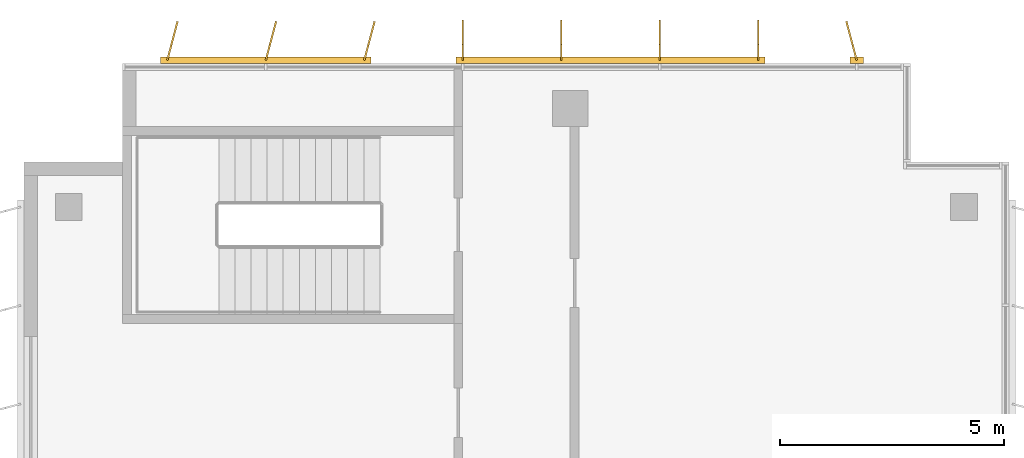
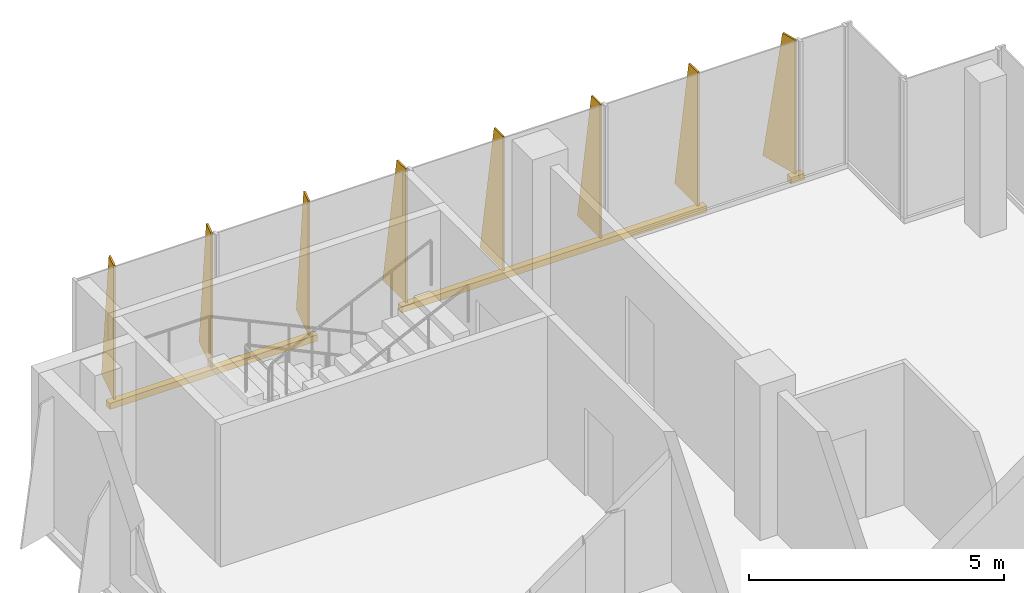
# One storey, part 15 of 15: 3 shading devices.
"""IFC4 building model written with IfcOpenShell, lengths in metres."""

from ifc_helpers import new_model, si_unit, direction, frame, origin, origin_2d, place, context, subcontext, project, spatial, polyline, rectangle, outline, extrude, source, transform, mapped, material, layer, layer_set, type_object, element, save


model = new_model("IFC4")

# Units and contexts
model_context = context("Model", 3, precision=1e-05, world=origin(), true_north=direction((0.0, 1.0)))
body_context = subcontext(model_context, "Body", "Model", "MODEL_VIEW")
ifc_project = project(units=[si_unit("LENGTHUNIT", "METRE"), si_unit("AREAUNIT", "SQUARE_METRE"), si_unit("VOLUMEUNIT", "CUBIC_METRE"), si_unit("PLANEANGLEUNIT", "RADIAN"), si_unit("MASSUNIT", "GRAM", prefix="KILO")], contexts=[model_context])

# Site, building, storey
site_placement = place(None, origin())
site = spatial("IfcSite", under=ifc_project, at=site_placement, CompositionType="ELEMENT")
building_placement = place(site_placement, origin())
building = spatial("IfcBuilding", under=site, at=building_placement, Name="Kemantara Hotel Tower", CompositionType="ELEMENT")
storey_placement = place(building_placement, frame((0.0, 0.0, 268.5)))
storey = spatial("IfcBuildingStorey", under=building, at=storey_placement, Name="L67", CompositionType="ELEMENT", Elevation=268.5)

# Shading devices
ifc_material = material(Name="Perforated aluminium plate 4 mm bronze anodised", Category="aluminium")
ifc_layer_1 = layer(ifc_material, 0.0400390625)
ifc_layer_set_1 = layer_set([ifc_layer_1], Name="Perforated aluminium plate 4 mm bronze anodised")
shading_device_type_1 = type_object("IfcShadingDeviceType", Name="SCREEN FIN CASSETTE, 3 BLADES AT -15.0 DEG, 3200 HIGH", PredefinedType="USERDEFINED", material=ifc_layer_set_1)
shared_shape_1 = source(origin(), body_context, "Body", "SweptSolid", [
    extrude(rectangle(XDim=4.699951171875, YDim=0.14990234375, at=origin_2d()), frame((2.199951171875, -0.074951171875, -0.14990234375), z_axis=(0.0, 0.0, 1.0), x_axis=(1.0, 0.0, 0.0)), (0.0, 0.0, 1.0), 0.14990234375),
    extrude(outline(polyline([(0.0, 0.0), (0.89990234375, 0.0), (0.35009765625, 3.199951171875), (0.0, 3.199951171875), (0.0, 0.0)])), frame((0.019287109375, -0.080078125, 0.0), z_axis=(-0.966437683387, 0.256901156343, 0.0), x_axis=(-0.256901156343, -0.966437683387, 0.0)), (0.0, 0.0, 1.0), 0.039794921875),
    extrude(outline(polyline([(0.0, 0.0), (0.89990234375, 0.0), (0.35009765625, 3.199951171875), (0.0, 3.199951171875), (0.0, 0.0)])), frame((2.21923828125, -0.080078125, 0.0), z_axis=(-0.966437683387, 0.256901156343, 0.0), x_axis=(-0.256901156343, -0.966437683387, 0.0)), (0.0, 0.0, 1.0), 0.039794921875),
    extrude(outline(polyline([(0.0, 0.0), (0.89990234375, 0.0), (0.35009765625, 3.199951171875), (0.0, 3.199951171875), (0.0, 0.0)])), frame((4.41943359375, -0.080078125, 0.0), z_axis=(-0.966837822169, 0.255391122837, 0.0), x_axis=(-0.255391122837, -0.966837822169, 0.0)), (0.0, 0.0, 1.0), 0.0400390625),
])
shading_device_1_placement = place(storey_placement, frame((7.60009765625, 63.60009765625, 0.10009765625), z_axis=(0.0, 0.0, 1.0), x_axis=(-1.0, 0.0, 0.0)))
element("IfcShadingDevice", 1, at=shading_device_1_placement, inside=storey, type_object=shading_device_type_1, Name="SCREEN FIN CASSETTE L67 T4-R02-3", ObjectType="SCREEN FIN", PredefinedType="USERDEFINED", context=body_context, shape_type="MappedRepresentation", body=[
    mapped(shared_shape_1, transform((0.0, 0.0, 0.0))),
])
ifc_layer_2 = layer(ifc_material, 0.0400390625)
ifc_layer_set_2 = layer_set([ifc_layer_2], Name="Perforated aluminium plate 4 mm bronze anodised")
shading_device_type_2 = type_object("IfcShadingDeviceType", Name="SCREEN FIN CASSETTE, 4 BLADES AT +0.0 DEG, 3200 HIGH", PredefinedType="USERDEFINED", material=ifc_layer_set_2)
shared_shape_2 = source(origin(), body_context, "Body", "SweptSolid", [
    extrude(rectangle(XDim=6.89990234375, YDim=0.14990234375, at=origin_2d()), frame((3.300048828125, -0.074951171875, -0.14990234375), z_axis=(0.0, 0.0, 1.0), x_axis=(1.0, 0.0, 0.0)), (0.0, 0.0, 1.0), 0.14990234375),
    extrude(outline(polyline([(0.0, 0.0), (0.89990234375, 0.0), (0.35009765625, 3.199951171875), (0.0, 3.199951171875), (0.0, 0.0)])), frame((0.02001953125, -0.074951171875, 0.0), z_axis=(-1.0, 0.0, 0.0), x_axis=(0.0, -1.0, 0.0)), (0.0, 0.0, 1.0), 0.0400390625),
    extrude(outline(polyline([(0.0, 0.0), (0.89990234375, 0.0), (0.35009765625, 3.199951171875), (0.0, 3.199951171875), (0.0, 0.0)])), frame((2.219970703125, -0.074951171875, 0.0), z_axis=(-1.0, 0.0, 0.0), x_axis=(0.0, -1.0, 0.0)), (0.0, 0.0, 1.0), 0.0400390625),
    extrude(outline(polyline([(0.0, 0.0), (0.89990234375, 0.0), (0.35009765625, 3.199951171875), (0.0, 3.199951171875), (0.0, 0.0)])), frame((4.419921875, -0.074951171875, 0.0), z_axis=(-1.0, 0.0, 0.0), x_axis=(0.0, -1.0, 0.0)), (0.0, 0.0, 1.0), 0.0400390625),
    extrude(outline(polyline([(0.0, 0.0), (0.89990234375, 0.0), (0.35009765625, 3.199951171875), (0.0, 3.199951171875), (0.0, 0.0)])), frame((6.6201171875, -0.074951171875, 0.0), z_axis=(-1.0, 0.0, 0.0), x_axis=(0.0, -1.0, 0.0)), (0.0, 0.0, 1.0), 0.0400390625),
])
shading_device_2_placement = place(storey_placement, frame((16.39990234375, 63.60009765625, 0.10009765625), z_axis=(0.0, 0.0, 1.0), x_axis=(-1.0, 0.0, 0.0)))
element("IfcShadingDevice", 2, at=shading_device_2_placement, inside=storey, type_object=shading_device_type_2, Name="SCREEN FIN CASSETTE L67 T4-R02-2", ObjectType="SCREEN FIN", PredefinedType="USERDEFINED", context=body_context, shape_type="MappedRepresentation", body=[
    mapped(shared_shape_2, transform((0.0, 0.0, 0.0))),
])
ifc_layer_3 = layer(ifc_material, 0.0400390625)
ifc_layer_set_3 = layer_set([ifc_layer_3], Name="Perforated aluminium plate 4 mm bronze anodised")
shading_device_type_3 = type_object("IfcShadingDeviceType", Name="SCREEN FIN CASSETTE, 1 BLADE AT +15.0 DEG, 3200 HIGH", PredefinedType="USERDEFINED", material=ifc_layer_set_3)
shared_shape_3 = source(origin(), body_context, "Body", "SweptSolid", [
    extrude(rectangle(XDim=0.300048828125, YDim=0.14990234375, at=origin_2d()), frame((0.0, -0.074951171875, -0.14990234375), z_axis=(0.0, 0.0, 1.0), x_axis=(1.0, 0.0, 0.0)), (0.0, 0.0, 1.0), 0.14990234375),
    extrude(outline(polyline([(0.0, 0.0), (0.89990234375, 0.0), (0.35009765625, 3.199951171875), (0.0, 3.199951171875), (0.0, 0.0)])), frame((0.019287109375, -0.06982421875, 0.0), z_axis=(-0.966437683387, -0.256901156343, 0.0), x_axis=(0.256901156343, -0.966437683387, 0.0)), (0.0, 0.0, 1.0), 0.039794921875),
])
shading_device_3_placement = place(storey_placement, frame((18.60009765625, 63.60009765625, 0.10009765625), z_axis=(0.0, 0.0, 1.0), x_axis=(-1.0, 0.0, 0.0)))
element("IfcShadingDevice", 3, at=shading_device_3_placement, inside=storey, type_object=shading_device_type_3, Name="SCREEN FIN CASSETTE L67 T4-R02-1", ObjectType="SCREEN FIN", PredefinedType="USERDEFINED", context=body_context, shape_type="MappedRepresentation", body=[
    mapped(shared_shape_3, transform((0.0, 0.0, 0.0))),
])

save(model, "model.ifc")
